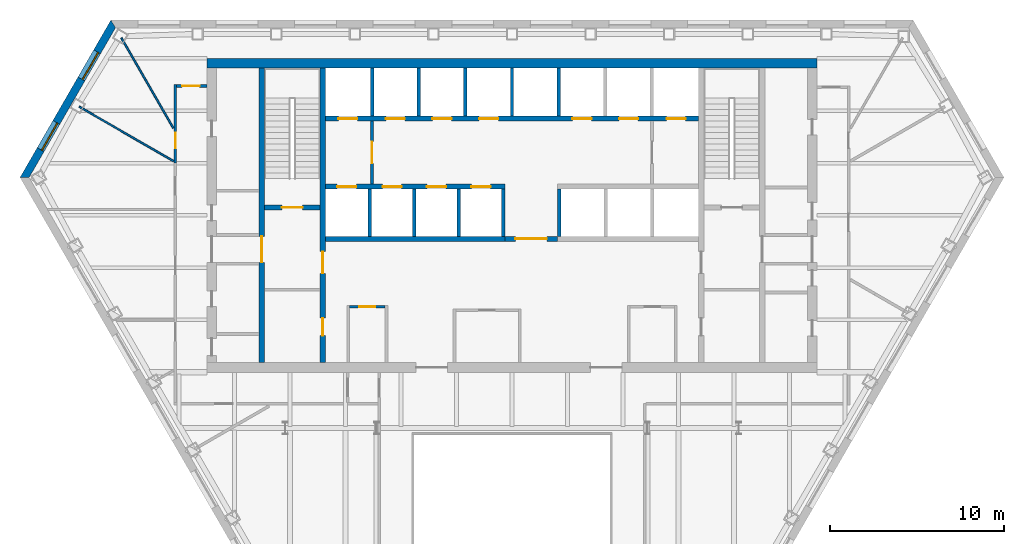
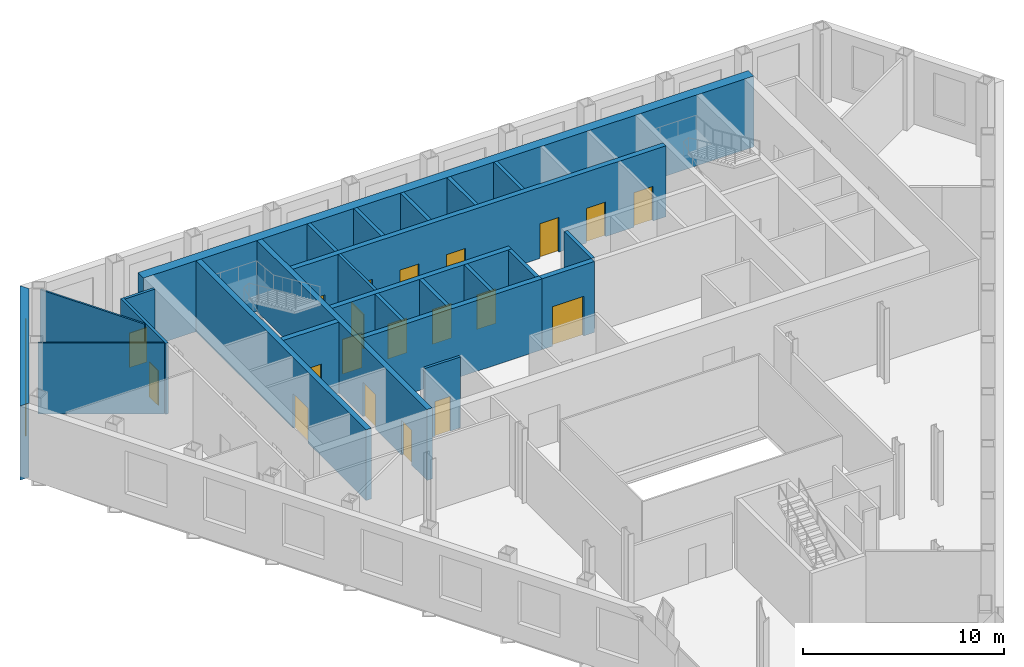
# One storey, part 6 of 11: 25 walls, 20 doors, 2 windows, 22 openings.
"""IFC4 building model written with IfcOpenShell, lengths in metres."""

import ifcopenshell
import ifcopenshell.guid

model = None  # the IFC model being written
_history = None  # IfcOwnerHistory: only IFC2X3 demands one
_inside = {}  # id of a spatial element -> (the spatial element, [elements in it])
_under = {}  # id of a project, library or spatial element -> (it, [spatial elements below it])
_declared = {}  # id of a project -> (the project, [libraries it declares])
_typed = {}  # id of a type object -> (the type object, [elements of that type])
_made_of = {}  # id of a material, layer set ... -> (it, [elements and type objects made of it])


def new_model(schema):
    """Start an empty IFC model of exactly this schema.

    Asked for "IFC4X3", IfcOpenShell would pick the latest addendum, in which some entities
    have other attributes; the version numbers below select the first issue.
    IFC2X3 requires an IfcOwnerHistory on every rooted entity: one is made here for all.
    """
    global model, _history
    if schema == "IFC4X3":
        model = ifcopenshell.file(schema_version=(4, 3, 0, 0))
    else:
        model = ifcopenshell.file(schema=schema)
    _inside.clear()
    _under.clear()
    _declared.clear()
    _typed.clear()
    _made_of.clear()
    _history = None
    if model.schema == "IFC2X3":
        org = make("IfcOrganization", Name="unknown")
        user = make(
            "IfcPersonAndOrganization",
            ThePerson=make("IfcPerson", FamilyName="unknown"),
            TheOrganization=org,
        )
        app = make(
            "IfcApplication",
            ApplicationDeveloper=org,
            Version="unknown",
            ApplicationFullName="unknown",
            ApplicationIdentifier="unknown",
        )
        _history = make(
            "IfcOwnerHistory",
            OwningUser=user,
            OwningApplication=app,
            ChangeAction="ADDED",
            CreationDate=0,
        )
    return model


def make(cls, **values):
    """One entity of the class cls with the attributes given. An attribute that is None is left unset."""
    return model.create_entity(
        cls, **{name: value for name, value in values.items() if value is not None}
    )


def rooted(cls, **values):
    """An entity with a GlobalId (a new one), such as an element, a storey or a relation."""
    return make(cls, GlobalId=ifcopenshell.guid.new(), OwnerHistory=_history, **values)


def si_unit(unit_type, name, prefix=None):
    """IfcSIUnit, for example si_unit("LENGTHUNIT", "METRE", prefix="MILLI")."""
    return make("IfcSIUnit", UnitType=unit_type, Prefix=prefix, Name=name)


def assignment(units):
    """IfcUnitAssignment: the units of a project."""
    return None if units is None else make("IfcUnitAssignment", Units=units)


def point(xyz):
    """IfcCartesianPoint."""
    return None if xyz is None else make("IfcCartesianPoint", Coordinates=xyz)


def direction(xyz):
    """IfcDirection."""
    return None if xyz is None else make("IfcDirection", DirectionRatios=xyz)


def frame(location, z_axis=None, x_axis=None):
    """IfcAxis2Placement3D, a coordinate frame: its origin and axes. An axis left out is left unset."""
    return make(
        "IfcAxis2Placement3D",
        Location=point(location),
        Axis=direction(z_axis),
        RefDirection=direction(x_axis),
    )


def frame_2d(location, x_axis=None):
    """IfcAxis2Placement2D, a coordinate frame in the plane: its origin and x axis."""
    return make(
        "IfcAxis2Placement2D", Location=point(location), RefDirection=direction(x_axis)
    )


def origin():
    """The frame at (0, 0, 0) with its axes left unset."""
    return frame((0.0, 0.0, 0.0))


def place(relative_to, where):
    """IfcLocalPlacement: puts the frame where relative to a parent placement (None: the world)."""
    return make(
        "IfcLocalPlacement", PlacementRelTo=relative_to, RelativePlacement=where
    )


def context(
    kind, dimensions, precision=None, world=None, true_north=None, identifier=None
):
    """IfcGeometricRepresentationContext, for example the 3D "Model" context."""
    return make(
        "IfcGeometricRepresentationContext",
        ContextIdentifier=identifier,
        ContextType=kind,
        CoordinateSpaceDimension=dimensions,
        Precision=precision,
        WorldCoordinateSystem=world,
        TrueNorth=true_north,
    )


def subcontext(parent, identifier, kind, view, scale=None):
    """IfcGeometricRepresentationSubContext, for example "Body" below "Model"."""
    return make(
        "IfcGeometricRepresentationSubContext",
        ContextIdentifier=identifier,
        ContextType=kind,
        ParentContext=parent,
        TargetScale=scale,
        TargetView=view,
    )


def project(units=None, contexts=None):
    """IfcProject with its units and contexts."""
    return rooted(
        "IfcProject",
        Name="project",
        RepresentationContexts=contexts,
        UnitsInContext=assignment(units),
    )


def spatial(cls, under=None, at=None, **own):
    """A site, building, storey or space (cls), placed at a placement, below another one or the project."""
    s = rooted(cls, ObjectPlacement=at, **own)
    if under is not None:
        _under.setdefault(under.id(), (under, []))[1].append(s)
    return s


def polyline(points):
    """IfcPolyline through the points."""
    return make("IfcPolyline", Points=[point(p) for p in points])


def profile(cls, at=None, kind="AREA", **sizes):
    """A parametric profile (cls). Its sizes go by their IFC names, for example OverallWidth=200.0."""
    return make(cls, ProfileType=kind, Position=at, **sizes)


def rectangle(**sizes):
    """IfcRectangleProfileDef."""
    return profile("IfcRectangleProfileDef", **sizes)


def outline(outer, holes=None, kind="AREA"):
    """IfcArbitraryClosedProfileDef: a profile drawn as a closed curve; with holes, ...WithVoids."""
    if holes is None:
        return make("IfcArbitraryClosedProfileDef", ProfileType=kind, OuterCurve=outer)
    return make(
        "IfcArbitraryProfileDefWithVoids",
        ProfileType=kind,
        OuterCurve=outer,
        InnerCurves=holes,
    )


def extrude(swept, where, along, depth):
    """IfcExtrudedAreaSolid: the profile swept, set in the frame where, extruded along a direction by depth."""
    return make(
        "IfcExtrudedAreaSolid",
        SweptArea=swept,
        Position=where,
        ExtrudedDirection=direction(along),
        Depth=depth,
    )


def shape(context_of_items, identifier, shape_type, items):
    """IfcShapeRepresentation: the items that make up one representation, for example the "Body"."""
    return make(
        "IfcShapeRepresentation",
        ContextOfItems=context_of_items,
        RepresentationIdentifier=identifier,
        RepresentationType=shape_type,
        Items=items,
    )


def material(Name=None, Category=None):
    """IfcMaterial."""
    return make("IfcMaterial", Name=Name, Category=Category)


def layer(
    of_material, thickness, ventilated=None, Name=None, Category=None, Priority=None
):
    """IfcMaterialLayer: one layer of a wall or slab, of a material (None: an air gap)."""
    return make(
        "IfcMaterialLayer",
        Material=of_material,
        LayerThickness=thickness,
        IsVentilated=ventilated,
        Name=Name,
        Category=Category,
        Priority=Priority,
    )


def layer_set(layers, Name=None):
    """IfcMaterialLayerSet."""
    return make("IfcMaterialLayerSet", MaterialLayers=layers, LayerSetName=Name)


def made_of(thing, what):
    """Note that an element or type object is made of a material, layer set ...; save() writes the relation."""
    if what is not None:
        _made_of.setdefault(what.id(), (what, []))[1].append(thing)
    return thing


def type_object(cls, material=None, **own):
    """A type object (cls), such as IfcWallType, which elements share."""
    return made_of(rooted(cls, **own), material)


def element(
    cls,
    number,
    at=None,
    inside=None,
    cuts=None,
    type_object=None,
    material=None,
    context=None,
    identifier="Body",
    shape_type=None,
    held_by="IfcProductDefinitionShape",
    body=None,
    shapes=None,
    **own,
):
    """One element of the class cls, such as IfcWall. Its Tag is "e" and its number.

    at: its placement. inside: the storey or other place that contains it. cuts: it is an
    opening in that element (IfcRelVoidsElement). A single representation is given by context,
    identifier, shape_type and body (its items); several are given by shapes. held_by: the class
    of the entity that holds the representations. save() writes the other relations.
    """
    e = rooted(cls, Tag="e%d" % number, ObjectPlacement=at, **own)
    if body is not None:
        shapes = [shape(context, identifier, shape_type, body)]
    if shapes is not None:
        e.Representation = make(held_by, Representations=shapes)
    if inside is not None:
        _inside.setdefault(inside.id(), (inside, []))[1].append(e)
    if cuts is not None:
        rooted(
            "IfcRelVoidsElement", RelatingBuildingElement=cuts, RelatedOpeningElement=e
        )
    if type_object is not None:
        _typed.setdefault(type_object.id(), (type_object, []))[1].append(e)
    return made_of(e, material)


def fill(opening, filler):
    """IfcRelFillsElement: the door or window that sits in an opening."""
    return rooted(
        "IfcRelFillsElement",
        RelatingOpeningElement=opening,
        RelatedBuildingElement=filler,
    )


def aggregate(whole, parts):
    """IfcRelAggregates: a whole, such as a stair, and the parts it consists of."""
    return rooted("IfcRelAggregates", RelatingObject=whole, RelatedObjects=parts)


def save(model, path):
    """Write the relations noted so far, then the file.

    IfcRelAggregates (storeys below a building ...), IfcRelContainedInSpatialStructure (elements
    in a storey), IfcRelDefinesByType, IfcRelAssociatesMaterial and IfcRelDeclares: one each for
    every whole, place, type object, material and project.
    """
    for whole, parts in _under.values():
        aggregate(whole, parts)
    for where, things in _inside.values():
        rooted(
            "IfcRelContainedInSpatialStructure",
            RelatedElements=things,
            RelatingStructure=where,
        )
    for kind, things in _typed.values():
        rooted("IfcRelDefinesByType", RelatedObjects=things, RelatingType=kind)
    for what, things in _made_of.values():
        rooted("IfcRelAssociatesMaterial", RelatedObjects=things, RelatingMaterial=what)
    for by, libraries in _declared.values():
        rooted("IfcRelDeclares", RelatingContext=by, RelatedDefinitions=libraries)
    model.write(path)


model = new_model("IFC4")

# Units and contexts
model_context = context("Model", 3, precision=1e-05, world=origin(), true_north=direction((0.0, 1.0)))
body_context = subcontext(model_context, "Body", "Model", "MODEL_VIEW")
ifc_project = project(units=[si_unit("LENGTHUNIT", "METRE"), si_unit("AREAUNIT", "SQUARE_METRE"), si_unit("VOLUMEUNIT", "CUBIC_METRE"), si_unit("PLANEANGLEUNIT", "RADIAN"), si_unit("MASSUNIT", "GRAM", prefix="KILO")], contexts=[model_context])

# Site, building, storey
site_placement = place(None, origin())
site = spatial("IfcSite", under=ifc_project, at=site_placement, CompositionType="ELEMENT")
building_placement = place(site_placement, origin())
building = spatial("IfcBuilding", under=site, at=building_placement, Name="Njiva Tower", CompositionType="ELEMENT")
storey_placement = place(building_placement, frame((0.0, 0.0, 84.3)))
storey = spatial("IfcBuildingStorey", under=building, at=storey_placement, Name="L17", CompositionType="ELEMENT", Elevation=84.3)

# Wall, opening, door
ifc_material_1 = material(Name="Blockwork", Category="masonry")
ifc_layer_1 = layer(ifc_material_1, 0.15)
ifc_layer_set_1 = layer_set([ifc_layer_1], Name="Blockwork")
wall_type_1 = type_object("IfcWallType", Name="WT1 Compartment partition 150", PredefinedType="PARTITIONING", material=ifc_layer_set_1)
wall_1_placement = place(storey_placement, frame((-9.325, 3.75, 0.0), z_axis=(0.0, 0.0, 1.0), x_axis=(1.0, 0.0, 0.0)))
wall_1 = element("IfcWall", 1, at=wall_1_placement, inside=storey, type_object=wall_type_1, Name="Concierge office wall north", PredefinedType="PARTITIONING", context=body_context, shape_type="SweptSolid", body=[
    extrude(rectangle(XDim=2.05, YDim=0.15, at=frame_2d((1.025, 0.0))), origin(), (0.0, 0.0, 1.0), 4.3),
])
opening_1_placement = place(wall_1_placement, frame((0.575, 0.0, 0.0)))
opening_1 = element("IfcOpeningElement", 2, at=opening_1_placement, cuts=wall_1, Name="Opening S06-D932", PredefinedType="OPENING", context=body_context, shape_type="SweptSolid", body=[
    extrude(rectangle(XDim=0.9, YDim=2.1, at=frame_2d((0.45, 1.05))), frame((0.0, 0.085, 0.0), z_axis=(0.0, -1.0, 0.0), x_axis=(1.0, 0.0, 0.0)), (0.0, 0.0, 1.0), 0.17),
])
ifc_material_2 = material(Name="Steel fire door, painted", Category="steel")
door_type_1 = type_object("IfcDoorType", Name="D6 Fire-rated door 900x2100", OperationType="SINGLE_SWING_LEFT", PredefinedType="DOOR", material=ifc_material_2)
door_1_placement = place(opening_1_placement, origin())
door_1 = element("IfcDoor", 3, at=door_1_placement, inside=storey, type_object=door_type_1, Name="Concierge office door", OperationType="SINGLE_SWING_RIGHT", OverallHeight=2.1, OverallWidth=0.9, PredefinedType="DOOR", context=body_context, shape_type="SweptSolid", body=[
    extrude(rectangle(XDim=0.9, YDim=2.1, at=frame_2d((0.45, 1.05))), frame((0.0, 0.025, 0.0), z_axis=(0.0, -1.0, 0.0), x_axis=(1.0, 0.0, 0.0)), (0.0, 0.0, 1.0), 0.05),
])
fill(opening_1, door_1)

# Wall, openings, doors
ifc_material_3 = material(Name="Concrete C40/50", Category="concrete")
ifc_layer_2 = layer(ifc_material_3, 0.3)
ifc_layer_set_2 = layer_set([ifc_layer_2], Name="Concrete C40/50")
wall_type_2 = type_object("IfcWallType", Name="WT10 Stair enclosure wall 300", PredefinedType="SHEAR", material=ifc_layer_set_2)
wall_2_placement = place(storey_placement, frame((-10.85, 0.55, 0.0), z_axis=(0.0, 0.0, 1.0), x_axis=(0.0, 1.0, 0.0)))
wall_2 = element("IfcWall", 4, at=wall_2_placement, inside=storey, type_object=wall_type_2, Name="Stair wall west inner", PredefinedType="SHEAR", context=body_context, shape_type="SweptSolid", body=[
    extrude(rectangle(XDim=16.9, YDim=0.3, at=frame_2d((8.45, 0.0))), origin(), (0.0, 0.0, 1.0), 4.3),
])
opening_2_placement = place(wall_2_placement, frame((5.125, 0.0, 0.0)))
opening_2 = element("IfcOpeningElement", 5, at=opening_2_placement, cuts=wall_2, Name="Opening S06-D914", PredefinedType="OPENING", context=body_context, shape_type="SweptSolid", body=[
    extrude(rectangle(XDim=1.25, YDim=2.1, at=frame_2d((0.625, 1.05))), frame((0.0, 0.16, 0.0), z_axis=(0.0, -1.0, 0.0), x_axis=(1.0, 0.0, 0.0)), (0.0, 0.0, 1.0), 0.32),
])
opening_3_placement = place(wall_2_placement, frame((1.55, 0.0, 0.0)))
opening_3 = element("IfcOpeningElement", 6, at=opening_3_placement, cuts=wall_2, Name="Opening S06-D915", PredefinedType="OPENING", context=body_context, shape_type="SweptSolid", body=[
    extrude(rectangle(XDim=1.0, YDim=2.1, at=frame_2d((0.5, 1.05))), frame((0.0, 0.16, 0.0), z_axis=(0.0, -1.0, 0.0), x_axis=(1.0, 0.0, 0.0)), (0.0, 0.0, 1.0), 0.32),
])
ifc_material_4 = material(Name="Steel door, painted", Category="steel")
door_type_2 = type_object("IfcDoorType", Name="D5 Steel door 1000x2100", OperationType="SINGLE_SWING_LEFT", PredefinedType="DOOR", material=ifc_material_4)
door_2_placement = place(opening_3_placement, origin())
door_2 = element("IfcDoor", 7, at=door_2_placement, inside=storey, type_object=door_type_2, Name="Reading room door", OperationType="SINGLE_SWING_RIGHT", OverallHeight=2.1, OverallWidth=1.0, PredefinedType="DOOR", context=body_context, shape_type="SweptSolid", body=[
    extrude(rectangle(XDim=1.0, YDim=2.1, at=frame_2d((0.5, 1.05))), frame((0.0, 0.025, 0.0), z_axis=(0.0, -1.0, 0.0), x_axis=(1.0, 0.0, 0.0)), (0.0, 0.0, 1.0), 0.05),
])
fill(opening_3, door_2)
ifc_material_5 = material(Name="Glazed steel fire door", Category="steel")
door_type_3 = type_object("IfcDoorType", Name="D8 Vestibule corridor door 1250x2100 glazed", OperationType="SINGLE_SWING_LEFT", PredefinedType="DOOR", material=ifc_material_5)
door_3_placement = place(opening_2_placement, origin())
door_3 = element("IfcDoor", 8, at=door_3_placement, inside=storey, type_object=door_type_3, Name="Stair vestibule corridor door", OperationType="SINGLE_SWING_LEFT", OverallHeight=2.1, OverallWidth=1.25, PredefinedType="DOOR", context=body_context, shape_type="SweptSolid", body=[
    extrude(rectangle(XDim=1.25, YDim=2.1, at=frame_2d((0.625, 1.05))), frame((0.0, 0.025, 0.0), z_axis=(0.0, -1.0, 0.0), x_axis=(1.0, 0.0, 0.0)), (0.0, 0.0, 1.0), 0.05),
])
fill(opening_2, door_3)

# Wall, opening, door
wall_3_placement = place(storey_placement, frame((-14.35, 0.55, 0.0), z_axis=(0.0, 0.0, 1.0), x_axis=(0.0, 1.0, 0.0)))
wall_3 = element("IfcWall", 9, at=wall_3_placement, inside=storey, type_object=wall_type_2, Name="Stair wall west outer", PredefinedType="SHEAR", context=body_context, shape_type="SweptSolid", body=[
    extrude(rectangle(XDim=16.9, YDim=0.3, at=frame_2d((8.45, 0.0))), origin(), (0.0, 0.0, 1.0), 4.3),
])
opening_4_placement = place(wall_3_placement, frame((5.75, 0.0, 0.0)))
opening_4 = element("IfcOpeningElement", 10, at=opening_4_placement, cuts=wall_3, Name="Opening S06-D920", PredefinedType="OPENING", context=body_context, shape_type="SweptSolid", body=[
    extrude(rectangle(XDim=1.5, YDim=2.1, at=frame_2d((0.75, 1.05))), frame((0.0, 0.16, 0.0), z_axis=(0.0, -1.0, 0.0), x_axis=(1.0, 0.0, 0.0)), (0.0, 0.0, 1.0), 0.32),
])
door_type_4 = type_object("IfcDoorType", Name="D10 Exit door double 1500x2100 glazed", OperationType="DOUBLE_DOOR_SINGLE_SWING", PredefinedType="DOOR", material=ifc_material_5)
door_4_placement = place(opening_4_placement, origin())
door_4 = element("IfcDoor", 11, at=door_4_placement, inside=storey, type_object=door_type_4, Name="Stair A passage door", OperationType="DOUBLE_DOOR_SINGLE_SWING", OverallHeight=2.1, OverallWidth=1.5, PredefinedType="DOOR", context=body_context, shape_type="SweptSolid", body=[
    extrude(rectangle(XDim=1.5, YDim=2.1, at=frame_2d((0.75, 1.05))), frame((0.0, 0.025, 0.0), z_axis=(0.0, -1.0, 0.0), x_axis=(1.0, 0.0, 0.0)), (0.0, 0.0, 1.0), 0.05),
])
fill(opening_4, door_4)

wall_4_placement = place(storey_placement, frame((-14.2, 9.45, 0.0), z_axis=(0.0, 0.0, 1.0), x_axis=(1.0, 0.0, 0.0)))
wall_4 = element("IfcWall", 12, at=wall_4_placement, inside=storey, type_object=wall_type_2, Name="Stair A south wall", PredefinedType="SHEAR", context=body_context, shape_type="SweptSolid", body=[
    extrude(rectangle(XDim=3.2, YDim=0.3, at=frame_2d((1.6, 0.0))), origin(), (0.0, 0.0, 1.0), 4.3),
])
opening_5_placement = place(wall_4_placement, frame((1.0, 0.0, 0.0)))
opening_5 = element("IfcOpeningElement", 13, at=opening_5_placement, cuts=wall_4, Name="Opening S06-D913", PredefinedType="OPENING", context=body_context, shape_type="SweptSolid", body=[
    extrude(rectangle(XDim=1.2, YDim=2.1, at=frame_2d((0.6, 1.05))), frame((0.0, 0.16, 0.0), z_axis=(0.0, -1.0, 0.0), x_axis=(1.0, 0.0, 0.0)), (0.0, 0.0, 1.0), 0.32),
])
door_type_5 = type_object("IfcDoorType", Name="D7 Stair vestibule door 1200x2100 glazed", OperationType="SINGLE_SWING_LEFT", PredefinedType="DOOR", material=ifc_material_5)
door_5_placement = place(opening_5_placement, origin())
door_5 = element("IfcDoor", 14, at=door_5_placement, inside=storey, type_object=door_type_5, Name="Stair A door", OperationType="SINGLE_SWING_LEFT", OverallHeight=2.1, OverallWidth=1.2, PredefinedType="DOOR", context=body_context, shape_type="SweptSolid", body=[
    extrude(rectangle(XDim=1.2, YDim=2.1, at=frame_2d((0.6, 1.05))), frame((0.0, 0.025, 0.0), z_axis=(0.0, -1.0, 0.0), x_axis=(1.0, 0.0, 0.0)), (0.0, 0.0, 1.0), 0.05),
])
fill(opening_5, door_5)

# Wall
ifc_material_6 = material(Name="Concrete C60/75", Category="concrete")
ifc_layer_3 = layer(ifc_material_6, 0.55)
ifc_layer_set_3 = layer_set([ifc_layer_3], Name="Concrete C60/75")
wall_type_3 = type_object("IfcWallType", Name="WT14 Core wall 550", PredefinedType="SHEAR", material=ifc_layer_set_3)
wall_5_placement = place(storey_placement, frame((-17.5, 17.725, 0.0), z_axis=(0.0, 0.0, 1.0), x_axis=(1.0, 0.0, 0.0)))
element("IfcWall", 15, at=wall_5_placement, inside=storey, type_object=wall_type_3, Name="Core wall north", PredefinedType="SHEAR", context=body_context, shape_type="SweptSolid", body=[
    extrude(rectangle(XDim=35.0, YDim=0.55, at=frame_2d((17.5, 0.0))), origin(), (0.0, 0.0, 1.0), 4.3),
])

# Wall, opening, door
ifc_layer_4 = layer(ifc_material_1, 0.15)
ifc_layer_set_4 = layer_set([ifc_layer_4], Name="Blockwork")
wall_type_4 = type_object("IfcWallType", Name="WT2 Lobby partition 150", PredefinedType="PARTITIONING", material=ifc_layer_set_4)
wall_6_placement = place(storey_placement, frame((-8.025, 10.8, 0.0), z_axis=(0.0, 0.0, 1.0), x_axis=(0.0, 1.0, 0.0)))
wall_6 = element("IfcWall", 16, at=wall_6_placement, inside=storey, type_object=wall_type_4, Name="Firefighting lobby wall A", PredefinedType="PARTITIONING", context=body_context, shape_type="SweptSolid", body=[
    extrude(rectangle(XDim=3.6, YDim=0.15, at=frame_2d((1.8, 0.0))), origin(), (0.0, 0.0, 1.0), 4.3),
])
opening_6_placement = place(wall_6_placement, frame((1.175, 0.0, 0.0)))
opening_6 = element("IfcOpeningElement", 17, at=opening_6_placement, cuts=wall_6, Name="Opening S06-D912", PredefinedType="OPENING", context=body_context, shape_type="SweptSolid", body=[
    extrude(rectangle(XDim=1.25, YDim=2.1, at=frame_2d((0.625, 1.05))), frame((0.0, 0.085, 0.0), z_axis=(0.0, -1.0, 0.0), x_axis=(1.0, 0.0, 0.0)), (0.0, 0.0, 1.0), 0.17),
])
door_6_placement = place(opening_6_placement, origin())
door_6 = element("IfcDoor", 18, at=door_6_placement, inside=storey, type_object=door_type_3, Name="Stair vestibule corridor door", OperationType="SINGLE_SWING_RIGHT", OverallHeight=2.1, OverallWidth=1.25, PredefinedType="DOOR", context=body_context, shape_type="SweptSolid", body=[
    extrude(rectangle(XDim=1.25, YDim=2.1, at=frame_2d((0.625, 1.05))), frame((0.0, 0.025, 0.0), z_axis=(0.0, -1.0, 0.0), x_axis=(1.0, 0.0, 0.0)), (0.0, 0.0, 1.0), 0.05),
])
fill(opening_6, door_6)

# Walls
ifc_material_7 = material(Name="Gypsum board on steel studs", Category="gypsum")
ifc_layer_5 = layer(ifc_material_7, 0.1)
ifc_layer_set_5 = layer_set([ifc_layer_5], Name="Gypsum board on steel studs")
wall_type_5 = type_object("IfcWallType", Name="WT20 Gypsum partition 100", PredefinedType="PARTITIONING", material=ifc_layer_set_5)
wall_7_placement = place(storey_placement, frame((-24.823, 15.234, 0.0), z_axis=(0.0, 0.0, 1.0), x_axis=(0.866023364538, -0.500003532061, 0.0)))
element("IfcWall", 19, at=wall_7_placement, inside=storey, type_object=wall_type_5, Name="Partition S06-P002", PredefinedType="PARTITIONING", context=body_context, shape_type="SweptSolid", body=[
    extrude(rectangle(XDim=6.262, YDim=0.1, at=frame_2d((3.131, 0.0))), origin(), (0.0, 0.0, 1.0), 4.3),
])
wall_8_placement = place(storey_placement, frame((-22.406, 19.18, 0.0), z_axis=(0.0, 0.0, 1.0), x_axis=(0.500026652407, -0.866010015463, 0.0)))
element("IfcWall", 20, at=wall_8_placement, inside=storey, type_object=wall_type_5, Name="Partition S06-P004", PredefinedType="PARTITIONING", context=body_context, shape_type="SweptSolid", body=[
    extrude(rectangle(XDim=5.9757, YDim=0.1, at=frame_2d((2.9878, 0.0))), origin(), (0.0, 0.0, 1.0), 4.3),
])

# Wall, opening, door
ifc_layer_6 = layer(ifc_material_7, 0.15)
ifc_layer_set_6 = layer_set([ifc_layer_6], Name="Gypsum board on steel studs")
wall_type_6 = type_object("IfcWallType", Name="WT21 Compartment wall 150", PredefinedType="PARTITIONING", material=ifc_layer_set_6)
wall_9_placement = place(storey_placement, frame((-19.3, 11.995, 0.0), z_axis=(0.0, 0.0, 1.0), x_axis=(0.0, 1.0, 0.0)))
wall_9 = element("IfcWall", 21, at=wall_9_placement, inside=storey, type_object=wall_type_6, Name="Partition S06-P009", PredefinedType="PARTITIONING", context=body_context, shape_type="SweptSolid", body=[
    extrude(rectangle(XDim=4.496, YDim=0.15, at=frame_2d((2.248, 0.0))), origin(), (0.0, 0.0, 1.0), 4.3),
])
opening_7_placement = place(wall_9_placement, frame((0.855, 0.0, 0.0)))
opening_7 = element("IfcOpeningElement", 22, at=opening_7_placement, cuts=wall_9, Name="Opening S06-D005", PredefinedType="OPENING", context=body_context, shape_type="SweptSolid", body=[
    extrude(rectangle(XDim=0.9, YDim=2.1, at=frame_2d((0.45, 1.05))), frame((0.0, 0.085, 0.0), z_axis=(0.0, -1.0, 0.0), x_axis=(1.0, 0.0, 0.0)), (0.0, 0.0, 1.0), 0.17),
])
ifc_material_8 = material(Name="Steel fire door set", Category="steel")
door_type_6 = type_object("IfcDoorType", Name="D36 Fire door 900x2100", OperationType="SINGLE_SWING_LEFT", PredefinedType="DOOR", material=ifc_material_8)
door_7_placement = place(opening_7_placement, origin())
door_7 = element("IfcDoor", 23, at=door_7_placement, inside=storey, type_object=door_type_6, Name="Door S06-D005", OperationType="SINGLE_SWING_RIGHT", OverallHeight=2.1, OverallWidth=0.9, PredefinedType="DOOR", context=body_context, shape_type="SweptSolid", body=[
    extrude(rectangle(XDim=0.9, YDim=2.1, at=frame_2d((0.45, 1.05))), frame((0.0, 0.025, 0.0), z_axis=(0.0, -1.0, 0.0), x_axis=(1.0, 0.0, 0.0)), (0.0, 0.0, 1.0), 0.05),
])
fill(opening_7, door_7)

wall_10_placement = place(storey_placement, frame((-19.225, 16.416, 0.0), z_axis=(0.0, 0.0, 1.0), x_axis=(1.0, 0.0, 0.0)))
wall_10 = element("IfcWall", 24, at=wall_10_placement, inside=storey, type_object=wall_type_6, Name="Partition S06-P010", PredefinedType="PARTITIONING", context=body_context, shape_type="SweptSolid", body=[
    extrude(rectangle(XDim=1.725, YDim=0.15, at=frame_2d((0.8625, 0.0))), origin(), (0.0, 0.0, 1.0), 4.3),
])
opening_8_placement = place(wall_10_placement, frame((0.308, 0.0, 0.0)))
opening_8 = element("IfcOpeningElement", 25, at=opening_8_placement, cuts=wall_10, Name="Opening S06-D006", PredefinedType="OPENING", context=body_context, shape_type="SweptSolid", body=[
    extrude(rectangle(XDim=1.0, YDim=2.1, at=frame_2d((0.5, 1.05))), frame((0.0, 0.085, 0.0), z_axis=(0.0, -1.0, 0.0), x_axis=(1.0, 0.0, 0.0)), (0.0, 0.0, 1.0), 0.17),
])
door_type_7 = type_object("IfcDoorType", Name="D37 Fire door 1000x2100", OperationType="SINGLE_SWING_LEFT", PredefinedType="DOOR", material=ifc_material_8)
door_8_placement = place(opening_8_placement, origin())
door_8 = element("IfcDoor", 26, at=door_8_placement, inside=storey, type_object=door_type_7, Name="Door S06-D006", OperationType="SINGLE_SWING_RIGHT", OverallHeight=2.1, OverallWidth=1.0, PredefinedType="DOOR", context=body_context, shape_type="SweptSolid", body=[
    extrude(rectangle(XDim=1.0, YDim=2.1, at=frame_2d((0.5, 1.05))), frame((0.0, 0.025, 0.0), z_axis=(0.0, -1.0, 0.0), x_axis=(1.0, 0.0, 0.0)), (0.0, 0.0, 1.0), 0.05),
])
fill(opening_8, door_8)

ifc_layer_7 = layer(ifc_material_1, 0.3)
ifc_layer_set_7 = layer_set([ifc_layer_7], Name="Blockwork")
wall_type_7 = type_object("IfcWallType", Name="WT5 Lobby partition 300", PredefinedType="PARTITIONING", material=ifc_layer_set_7)
wall_11_placement = place(storey_placement, frame((-0.4, 7.65, 0.0), z_axis=(0.0, 0.0, 1.0), x_axis=(1.0, 0.0, 0.0)))
wall_11 = element("IfcWall", 27, at=wall_11_placement, inside=storey, type_object=wall_type_7, Name="Lift lobby screen wall", PredefinedType="PARTITIONING", context=body_context, shape_type="SweptSolid", body=[
    extrude(rectangle(XDim=3.0, YDim=0.3, at=frame_2d((1.5, 0.0))), origin(), (0.0, 0.0, 1.0), 4.3),
])
opening_9_placement = place(wall_11_placement, frame((0.6, 0.0, 0.0)))
opening_9 = element("IfcOpeningElement", 28, at=opening_9_placement, cuts=wall_11, Name="Opening S06-D935", PredefinedType="OPENING", context=body_context, shape_type="SweptSolid", body=[
    extrude(rectangle(XDim=1.8, YDim=2.4, at=frame_2d((0.9, 1.2))), frame((0.0, 0.16, 0.0), z_axis=(0.0, -1.0, 0.0), x_axis=(1.0, 0.0, 0.0)), (0.0, 0.0, 1.0), 0.32),
])
ifc_material_9 = material(Name="Steel and glass door", Category="steel")
door_type_8 = type_object("IfcDoorType", Name="D3 Core entrance door 1800x2400", OperationType="DOUBLE_DOOR_SINGLE_SWING", PredefinedType="DOOR", material=ifc_material_9)
door_9_placement = place(opening_9_placement, origin())
door_9 = element("IfcDoor", 29, at=door_9_placement, inside=storey, type_object=door_type_8, Name="Core entrance door", OperationType="DOUBLE_DOOR_SINGLE_SWING", OverallHeight=2.4, OverallWidth=1.8, PredefinedType="DOOR", context=body_context, shape_type="SweptSolid", body=[
    extrude(rectangle(XDim=1.8, YDim=2.4, at=frame_2d((0.9, 1.2))), frame((0.0, 0.025, 0.0), z_axis=(0.0, -1.0, 0.0), x_axis=(1.0, 0.0, 0.0)), (0.0, 0.0, 1.0), 0.05),
])
fill(opening_9, door_9)

# Walls
ifc_layer_8 = layer(ifc_material_3, 0.2)
ifc_layer_set_8 = layer_set([ifc_layer_8], Name="Concrete C40/50")
wall_type_8 = type_object("IfcWallType", Name="WT6 Lift shaft wall 200", PredefinedType="SHEAR", material=ifc_layer_set_8)
for number, where, z_axis, x_axis, name in (
    (30, (-8.025, 14.7, 0.0), (0.0, 0.0, 1.0), (0.0, 1.0, 0.0), "Shaft wall CN1"),
    (31, (-5.35, 14.7, 0.0), (0.0, 0.0, 1.0), (0.0, 1.0, 0.0), "Shaft wall CN2"),
    (32, (-2.675, 14.7, 0.0), (0.0, 0.0, 1.0), (0.0, 1.0, 0.0), "Shaft wall CN3"),
    (33, (0.0, 14.7, 0.0), (0.0, 0.0, 1.0), (0.0, 1.0, 0.0), "Shaft wall CN4"),
    (34, (2.675, 14.7, 0.0), (0.0, 0.0, 1.0), (0.0, 1.0, 0.0), "Shaft wall CN5"),
):
    element("IfcWall", number, at=place(storey_placement, frame(where, z_axis=z_axis, x_axis=x_axis)), inside=storey, type_object=wall_type_8, Name=name, PredefinedType="SHEAR", context=body_context, shape_type="SweptSolid", body=[
        extrude(rectangle(XDim=2.75, YDim=0.2, at=frame_2d((1.375, 0.0))), origin(), (0.0, 0.0, 1.0), 4.3),
    ])
for number, where, z_axis, x_axis, name in (
    (35, (-8.15, 7.8, 0.0), (0.0, 0.0, 1.0), (0.0, 1.0, 0.0), "Shaft wall CS1"),
    (36, (-5.6, 7.8, 0.0), (0.0, 0.0, 1.0), (0.0, 1.0, 0.0), "Shaft wall CS2"),
    (37, (-3.05, 7.8, 0.0), (0.0, 0.0, 1.0), (0.0, 1.0, 0.0), "Shaft wall CS3"),
    (38, (-0.5, 7.8, 0.0), (0.0, 0.0, 1.0), (0.0, 1.0, 0.0), "Shaft wall CS4"),
    (39, (2.7, 7.8, 0.0), (0.0, 0.0, 1.0), (0.0, 1.0, 0.0), "Shaft wall CS5"),
):
    element("IfcWall", number, at=place(storey_placement, frame(where, z_axis=z_axis, x_axis=x_axis)), inside=storey, type_object=wall_type_8, Name=name, PredefinedType="SHEAR", context=body_context, shape_type="SweptSolid", body=[
        extrude(rectangle(XDim=2.7, YDim=0.2, at=frame_2d((1.35, 0.0))), origin(), (0.0, 0.0, 1.0), 4.3),
    ])

# Wall, openings, doors
ifc_layer_9 = layer(ifc_material_3, 0.3)
ifc_layer_set_9 = layer_set([ifc_layer_9], Name="Concrete C40/50")
wall_type_9 = type_object("IfcWallType", Name="WT7 Lift shaft wall 300", PredefinedType="SHEAR", material=ifc_layer_set_9)
wall_12_placement = place(storey_placement, frame((-10.7, 14.55, 0.0), z_axis=(0.0, 0.0, 1.0), x_axis=(1.0, 0.0, 0.0)))
wall_12 = element("IfcWall", 40, at=wall_12_placement, inside=storey, type_object=wall_type_9, Name="Shaft wall north row lobby side", PredefinedType="SHEAR", context=body_context, shape_type="SweptSolid", body=[
    extrude(rectangle(XDim=21.4, YDim=0.3, at=frame_2d((10.7, 0.0))), origin(), (0.0, 0.0, 1.0), 4.3),
])
opening_10_placement = place(wall_12_placement, frame((0.7375, 0.0, 0.0)))
opening_10 = element("IfcOpeningElement", 41, at=opening_10_placement, cuts=wall_12, Name="Opening S06-D901", PredefinedType="OPENING", context=body_context, shape_type="SweptSolid", body=[
    extrude(rectangle(XDim=1.1, YDim=2.1, at=frame_2d((0.55, 1.05))), frame((0.0, 0.16, 0.0), z_axis=(0.0, -1.0, 0.0), x_axis=(1.0, 0.0, 0.0)), (0.0, 0.0, 1.0), 0.32),
])
opening_11_placement = place(wall_12_placement, frame((3.4625, 0.0, 0.0)))
opening_11 = element("IfcOpeningElement", 42, at=opening_11_placement, cuts=wall_12, Name="Opening S06-D902", PredefinedType="OPENING", context=body_context, shape_type="SweptSolid", body=[
    extrude(rectangle(XDim=1.1, YDim=2.1, at=frame_2d((0.55, 1.05))), frame((0.0, 0.16, 0.0), z_axis=(0.0, -1.0, 0.0), x_axis=(1.0, 0.0, 0.0)), (0.0, 0.0, 1.0), 0.32),
])
opening_12_placement = place(wall_12_placement, frame((6.1375, 0.0, 0.0)))
opening_12 = element("IfcOpeningElement", 43, at=opening_12_placement, cuts=wall_12, Name="Opening S06-D903", PredefinedType="OPENING", context=body_context, shape_type="SweptSolid", body=[
    extrude(rectangle(XDim=1.1, YDim=2.1, at=frame_2d((0.55, 1.05))), frame((0.0, 0.16, 0.0), z_axis=(0.0, -1.0, 0.0), x_axis=(1.0, 0.0, 0.0)), (0.0, 0.0, 1.0), 0.32),
])
opening_13_placement = place(wall_12_placement, frame((8.8125, 0.0, 0.0)))
opening_13 = element("IfcOpeningElement", 44, at=opening_13_placement, cuts=wall_12, Name="Opening S06-D904", PredefinedType="OPENING", context=body_context, shape_type="SweptSolid", body=[
    extrude(rectangle(XDim=1.1, YDim=2.1, at=frame_2d((0.55, 1.05))), frame((0.0, 0.16, 0.0), z_axis=(0.0, -1.0, 0.0), x_axis=(1.0, 0.0, 0.0)), (0.0, 0.0, 1.0), 0.32),
])
opening_14_placement = place(wall_12_placement, frame((14.1625, 0.0, 0.0)))
opening_14 = element("IfcOpeningElement", 45, at=opening_14_placement, cuts=wall_12, Name="Opening S06-D905", PredefinedType="OPENING", context=body_context, shape_type="SweptSolid", body=[
    extrude(rectangle(XDim=1.1, YDim=2.1, at=frame_2d((0.55, 1.05))), frame((0.0, 0.16, 0.0), z_axis=(0.0, -1.0, 0.0), x_axis=(1.0, 0.0, 0.0)), (0.0, 0.0, 1.0), 0.32),
])
opening_15_placement = place(wall_12_placement, frame((16.8375, 0.0, 0.0)))
opening_15 = element("IfcOpeningElement", 46, at=opening_15_placement, cuts=wall_12, Name="Opening S06-D906", PredefinedType="OPENING", context=body_context, shape_type="SweptSolid", body=[
    extrude(rectangle(XDim=1.1, YDim=2.1, at=frame_2d((0.55, 1.05))), frame((0.0, 0.16, 0.0), z_axis=(0.0, -1.0, 0.0), x_axis=(1.0, 0.0, 0.0)), (0.0, 0.0, 1.0), 0.32),
])
opening_16_placement = place(wall_12_placement, frame((19.5625, 0.0, 0.0)))
opening_16 = element("IfcOpeningElement", 47, at=opening_16_placement, cuts=wall_12, Name="Opening S06-D907", PredefinedType="OPENING", context=body_context, shape_type="SweptSolid", body=[
    extrude(rectangle(XDim=1.1, YDim=2.1, at=frame_2d((0.55, 1.05))), frame((0.0, 0.16, 0.0), z_axis=(0.0, -1.0, 0.0), x_axis=(1.0, 0.0, 0.0)), (0.0, 0.0, 1.0), 0.32),
])
ifc_material_10 = material(Name="Stainless steel sliding door", Category="steel")
door_type_9 = type_object("IfcDoorType", Name="LD Lift landing door 1100x2100", OperationType="SLIDING_TO_LEFT", PredefinedType="DOOR", material=ifc_material_10)
door_10_placement = place(opening_10_placement, origin())
door_10 = element("IfcDoor", 48, at=door_10_placement, inside=storey, type_object=door_type_9, Name="Lift landing door FF1", OperationType="SLIDING_TO_LEFT", OverallHeight=2.1, OverallWidth=1.1, PredefinedType="DOOR", context=body_context, shape_type="SweptSolid", body=[
    extrude(rectangle(XDim=1.1, YDim=2.1, at=frame_2d((0.55, 1.05))), frame((0.0, 0.025, 0.0), z_axis=(0.0, -1.0, 0.0), x_axis=(1.0, 0.0, 0.0)), (0.0, 0.0, 1.0), 0.05),
])
fill(opening_10, door_10)
door_11_placement = place(opening_11_placement, origin())
door_11 = element("IfcDoor", 49, at=door_11_placement, inside=storey, type_object=door_type_9, Name="Lift landing door LB1", OperationType="SLIDING_TO_LEFT", OverallHeight=2.1, OverallWidth=1.1, PredefinedType="DOOR", context=body_context, shape_type="SweptSolid", body=[
    extrude(rectangle(XDim=1.1, YDim=2.1, at=frame_2d((0.55, 1.05))), frame((0.0, 0.025, 0.0), z_axis=(0.0, -1.0, 0.0), x_axis=(1.0, 0.0, 0.0)), (0.0, 0.0, 1.0), 0.05),
])
fill(opening_11, door_11)
door_12_placement = place(opening_12_placement, origin())
door_12 = element("IfcDoor", 50, at=door_12_placement, inside=storey, type_object=door_type_9, Name="Lift landing door LB2", OperationType="SLIDING_TO_LEFT", OverallHeight=2.1, OverallWidth=1.1, PredefinedType="DOOR", context=body_context, shape_type="SweptSolid", body=[
    extrude(rectangle(XDim=1.1, YDim=2.1, at=frame_2d((0.55, 1.05))), frame((0.0, 0.025, 0.0), z_axis=(0.0, -1.0, 0.0), x_axis=(1.0, 0.0, 0.0)), (0.0, 0.0, 1.0), 0.05),
])
fill(opening_12, door_12)
door_13_placement = place(opening_13_placement, origin())
door_13 = element("IfcDoor", 51, at=door_13_placement, inside=storey, type_object=door_type_9, Name="Lift landing door LB3", OperationType="SLIDING_TO_LEFT", OverallHeight=2.1, OverallWidth=1.1, PredefinedType="DOOR", context=body_context, shape_type="SweptSolid", body=[
    extrude(rectangle(XDim=1.1, YDim=2.1, at=frame_2d((0.55, 1.05))), frame((0.0, 0.025, 0.0), z_axis=(0.0, -1.0, 0.0), x_axis=(1.0, 0.0, 0.0)), (0.0, 0.0, 1.0), 0.05),
])
fill(opening_13, door_13)
door_14_placement = place(opening_14_placement, origin())
door_14 = element("IfcDoor", 52, at=door_14_placement, inside=storey, type_object=door_type_9, Name="Lift landing door FR1", OperationType="SLIDING_TO_LEFT", OverallHeight=2.1, OverallWidth=1.1, PredefinedType="DOOR", context=body_context, shape_type="SweptSolid", body=[
    extrude(rectangle(XDim=1.1, YDim=2.1, at=frame_2d((0.55, 1.05))), frame((0.0, 0.025, 0.0), z_axis=(0.0, -1.0, 0.0), x_axis=(1.0, 0.0, 0.0)), (0.0, 0.0, 1.0), 0.05),
])
fill(opening_14, door_14)
door_15_placement = place(opening_15_placement, origin())
door_15 = element("IfcDoor", 53, at=door_15_placement, inside=storey, type_object=door_type_9, Name="Lift landing door FR2", OperationType="SLIDING_TO_LEFT", OverallHeight=2.1, OverallWidth=1.1, PredefinedType="DOOR", context=body_context, shape_type="SweptSolid", body=[
    extrude(rectangle(XDim=1.1, YDim=2.1, at=frame_2d((0.55, 1.05))), frame((0.0, 0.025, 0.0), z_axis=(0.0, -1.0, 0.0), x_axis=(1.0, 0.0, 0.0)), (0.0, 0.0, 1.0), 0.05),
])
fill(opening_15, door_15)
door_16_placement = place(opening_16_placement, origin())
door_16 = element("IfcDoor", 54, at=door_16_placement, inside=storey, type_object=door_type_9, Name="Lift landing door FF2", OperationType="SLIDING_TO_LEFT", OverallHeight=2.1, OverallWidth=1.1, PredefinedType="DOOR", context=body_context, shape_type="SweptSolid", body=[
    extrude(rectangle(XDim=1.1, YDim=2.1, at=frame_2d((0.55, 1.05))), frame((0.0, 0.025, 0.0), z_axis=(0.0, -1.0, 0.0), x_axis=(1.0, 0.0, 0.0)), (0.0, 0.0, 1.0), 0.05),
])
fill(opening_16, door_16)

wall_13_placement = place(storey_placement, frame((-10.7, 10.65, 0.0), z_axis=(0.0, 0.0, 1.0), x_axis=(1.0, 0.0, 0.0)))
wall_13 = element("IfcWall", 55, at=wall_13_placement, inside=storey, type_object=wall_type_9, Name="Shaft wall south row lobby side W", PredefinedType="SHEAR", context=body_context, shape_type="SweptSolid", body=[
    extrude(rectangle(XDim=10.3, YDim=0.3, at=frame_2d((5.15, 0.0))), origin(), (0.0, 0.0, 1.0), 4.3),
])
opening_17_placement = place(wall_13_placement, frame((0.675, 0.0, 0.0)))
opening_17 = element("IfcOpeningElement", 56, at=opening_17_placement, cuts=wall_13, Name="Opening S06-D908", PredefinedType="OPENING", context=body_context, shape_type="SweptSolid", body=[
    extrude(rectangle(XDim=1.1, YDim=2.1, at=frame_2d((0.55, 1.05))), frame((0.0, 0.16, 0.0), z_axis=(0.0, -1.0, 0.0), x_axis=(1.0, 0.0, 0.0)), (0.0, 0.0, 1.0), 0.32),
])
opening_18_placement = place(wall_13_placement, frame((3.275, 0.0, 0.0)))
opening_18 = element("IfcOpeningElement", 57, at=opening_18_placement, cuts=wall_13, Name="Opening S06-D909", PredefinedType="OPENING", context=body_context, shape_type="SweptSolid", body=[
    extrude(rectangle(XDim=1.1, YDim=2.1, at=frame_2d((0.55, 1.05))), frame((0.0, 0.16, 0.0), z_axis=(0.0, -1.0, 0.0), x_axis=(1.0, 0.0, 0.0)), (0.0, 0.0, 1.0), 0.32),
])
opening_19_placement = place(wall_13_placement, frame((5.825, 0.0, 0.0)))
opening_19 = element("IfcOpeningElement", 58, at=opening_19_placement, cuts=wall_13, Name="Opening S06-D910", PredefinedType="OPENING", context=body_context, shape_type="SweptSolid", body=[
    extrude(rectangle(XDim=1.1, YDim=2.1, at=frame_2d((0.55, 1.05))), frame((0.0, 0.16, 0.0), z_axis=(0.0, -1.0, 0.0), x_axis=(1.0, 0.0, 0.0)), (0.0, 0.0, 1.0), 0.32),
])
opening_20_placement = place(wall_13_placement, frame((8.375, 0.0, 0.0)))
opening_20 = element("IfcOpeningElement", 59, at=opening_20_placement, cuts=wall_13, Name="Opening S06-D911", PredefinedType="OPENING", context=body_context, shape_type="SweptSolid", body=[
    extrude(rectangle(XDim=1.1, YDim=2.1, at=frame_2d((0.55, 1.05))), frame((0.0, 0.16, 0.0), z_axis=(0.0, -1.0, 0.0), x_axis=(1.0, 0.0, 0.0)), (0.0, 0.0, 1.0), 0.32),
])
door_17_placement = place(opening_17_placement, origin())
door_17 = element("IfcDoor", 60, at=door_17_placement, inside=storey, type_object=door_type_9, Name="Lift landing door LB4", OperationType="SLIDING_TO_LEFT", OverallHeight=2.1, OverallWidth=1.1, PredefinedType="DOOR", context=body_context, shape_type="SweptSolid", body=[
    extrude(rectangle(XDim=1.1, YDim=2.1, at=frame_2d((0.55, 1.05))), frame((0.0, 0.025, 0.0), z_axis=(0.0, -1.0, 0.0), x_axis=(1.0, 0.0, 0.0)), (0.0, 0.0, 1.0), 0.05),
])
fill(opening_17, door_17)
door_18_placement = place(opening_18_placement, origin())
door_18 = element("IfcDoor", 61, at=door_18_placement, inside=storey, type_object=door_type_9, Name="Lift landing door LB5", OperationType="SLIDING_TO_LEFT", OverallHeight=2.1, OverallWidth=1.1, PredefinedType="DOOR", context=body_context, shape_type="SweptSolid", body=[
    extrude(rectangle(XDim=1.1, YDim=2.1, at=frame_2d((0.55, 1.05))), frame((0.0, 0.025, 0.0), z_axis=(0.0, -1.0, 0.0), x_axis=(1.0, 0.0, 0.0)), (0.0, 0.0, 1.0), 0.05),
])
fill(opening_18, door_18)
door_19_placement = place(opening_19_placement, origin())
door_19 = element("IfcDoor", 62, at=door_19_placement, inside=storey, type_object=door_type_9, Name="Lift landing door LB6", OperationType="SLIDING_TO_LEFT", OverallHeight=2.1, OverallWidth=1.1, PredefinedType="DOOR", context=body_context, shape_type="SweptSolid", body=[
    extrude(rectangle(XDim=1.1, YDim=2.1, at=frame_2d((0.55, 1.05))), frame((0.0, 0.025, 0.0), z_axis=(0.0, -1.0, 0.0), x_axis=(1.0, 0.0, 0.0)), (0.0, 0.0, 1.0), 0.05),
])
fill(opening_19, door_19)
door_20_placement = place(opening_20_placement, origin())
door_20 = element("IfcDoor", 63, at=door_20_placement, inside=storey, type_object=door_type_9, Name="Lift landing door LB7", OperationType="SLIDING_TO_LEFT", OverallHeight=2.1, OverallWidth=1.1, PredefinedType="DOOR", context=body_context, shape_type="SweptSolid", body=[
    extrude(rectangle(XDim=1.1, YDim=2.1, at=frame_2d((0.55, 1.05))), frame((0.0, 0.025, 0.0), z_axis=(0.0, -1.0, 0.0), x_axis=(1.0, 0.0, 0.0)), (0.0, 0.0, 1.0), 0.05),
])
fill(opening_20, door_20)

# Wall
wall_14_placement = place(storey_placement, frame((-10.7, 7.65, 0.0), z_axis=(0.0, 0.0, 1.0), x_axis=(1.0, 0.0, 0.0)))
element("IfcWall", 64, at=wall_14_placement, inside=storey, type_object=wall_type_9, Name="Shaft wall south row back W", PredefinedType="SHEAR", context=body_context, shape_type="SweptSolid", body=[
    extrude(rectangle(XDim=10.3, YDim=0.3, at=frame_2d((5.15, 0.0))), origin(), (0.0, 0.0, 1.0), 4.3),
])

# Wall, openings, windows
ifc_material_11 = material(Name="Brick masonry, buff", Category="masonry")
ifc_layer_10 = layer(ifc_material_11, 0.45)
ifc_layer_set_10 = layer_set([ifc_layer_10], Name="Brick masonry, buff")
wall_type_10 = type_object("IfcWallType", Name="WT94 Brick pier and spandrel wall 450, buff", PredefinedType="SOLIDWALL", material=ifc_layer_set_10)
wall_15_placement = place(storey_placement, frame((-22.8688, 19.9772, -0.4), z_axis=(0.0, 0.0, 1.0), x_axis=(-0.499997937663, -0.866026594472, 0.0)))
wall_15 = element("IfcWall", 65, at=wall_15_placement, inside=storey, type_object=wall_type_10, Name="Facade wall NW", PredefinedType="SOLIDWALL", context=body_context, shape_type="SweptSolid", body=[
    extrude(outline(polyline([(-0.1299, -0.225), (10.3001, -0.225), (10.0403, 0.225), (0.1299, 0.225), (-0.1299, -0.225)])), origin(), (0.0, 0.0, 1.0), 4.5),
])
opening_21_placement = place(wall_15_placement, frame((1.8469, 0.0, 1.3)))
opening_21 = element("IfcOpeningElement", 66, at=opening_21_placement, cuts=wall_15, Name="Opening S06-W11", PredefinedType="OPENING", context=body_context, shape_type="SweptSolid", body=[
    extrude(rectangle(XDim=1.8, YDim=2.6, at=frame_2d((0.9, 1.3))), frame((0.0, 0.235, 0.0), z_axis=(0.0, -1.0, 0.0), x_axis=(1.0, 0.0, 0.0)), (0.0, 0.0, 1.0), 0.47),
])
opening_22_placement = place(wall_15_placement, frame((6.5232, 0.0, 1.3)))
opening_22 = element("IfcOpeningElement", 67, at=opening_22_placement, cuts=wall_15, Name="Opening S06-W12", PredefinedType="OPENING", context=body_context, shape_type="SweptSolid", body=[
    extrude(rectangle(XDim=1.8, YDim=2.6, at=frame_2d((0.9, 1.3))), frame((0.0, 0.235, 0.0), z_axis=(0.0, -1.0, 0.0), x_axis=(1.0, 0.0, 0.0)), (0.0, 0.0, 1.0), 0.47),
])
ifc_material_12 = material(Name="Clear glazing in aluminium frame", Category="aluminium")
window_type = type_object("IfcWindowType", Name="W96 Deep-set window 1800x2600", PartitioningType="SINGLE_PANEL", PredefinedType="WINDOW", material=ifc_material_12)
window_1_placement = place(opening_21_placement, origin())
window_1 = element("IfcWindow", 68, at=window_1_placement, inside=storey, type_object=window_type, Name="Window", OverallHeight=2.6, OverallWidth=1.8, PartitioningType="SINGLE_PANEL", PredefinedType="WINDOW", context=body_context, shape_type="SweptSolid", body=[
    extrude(rectangle(XDim=1.8, YDim=2.6, at=frame_2d((0.9, 1.3))), frame((0.0, 0.105, 0.0), z_axis=(0.0, -1.0, 0.0), x_axis=(1.0, 0.0, 0.0)), (0.0, 0.0, 1.0), 0.06),
])
fill(opening_21, window_1)
window_2_placement = place(opening_22_placement, origin())
window_2 = element("IfcWindow", 69, at=window_2_placement, inside=storey, type_object=window_type, Name="Window", OverallHeight=2.6, OverallWidth=1.8, PartitioningType="SINGLE_PANEL", PredefinedType="WINDOW", context=body_context, shape_type="SweptSolid", body=[
    extrude(rectangle(XDim=1.8, YDim=2.6, at=frame_2d((0.9, 1.3))), frame((0.0, 0.105, 0.0), z_axis=(0.0, -1.0, 0.0), x_axis=(1.0, 0.0, 0.0)), (0.0, 0.0, 1.0), 0.06),
])
fill(opening_22, window_2)

save(model, "model.ifc")
